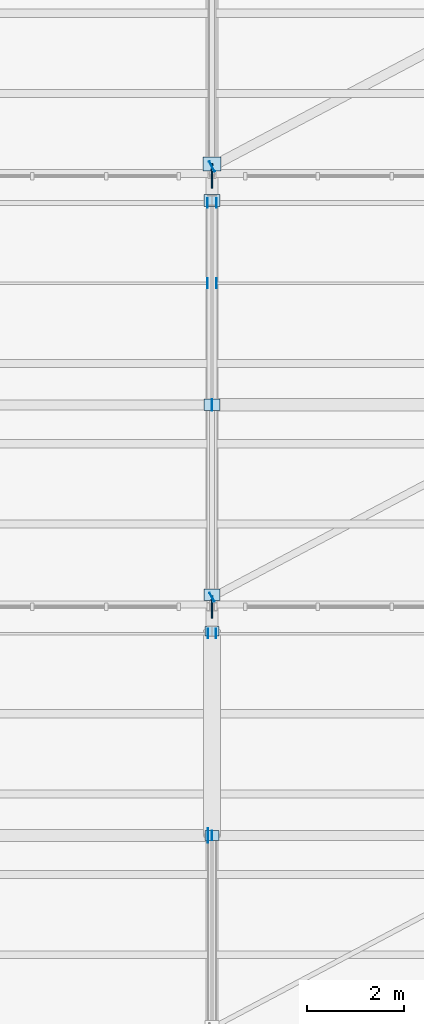
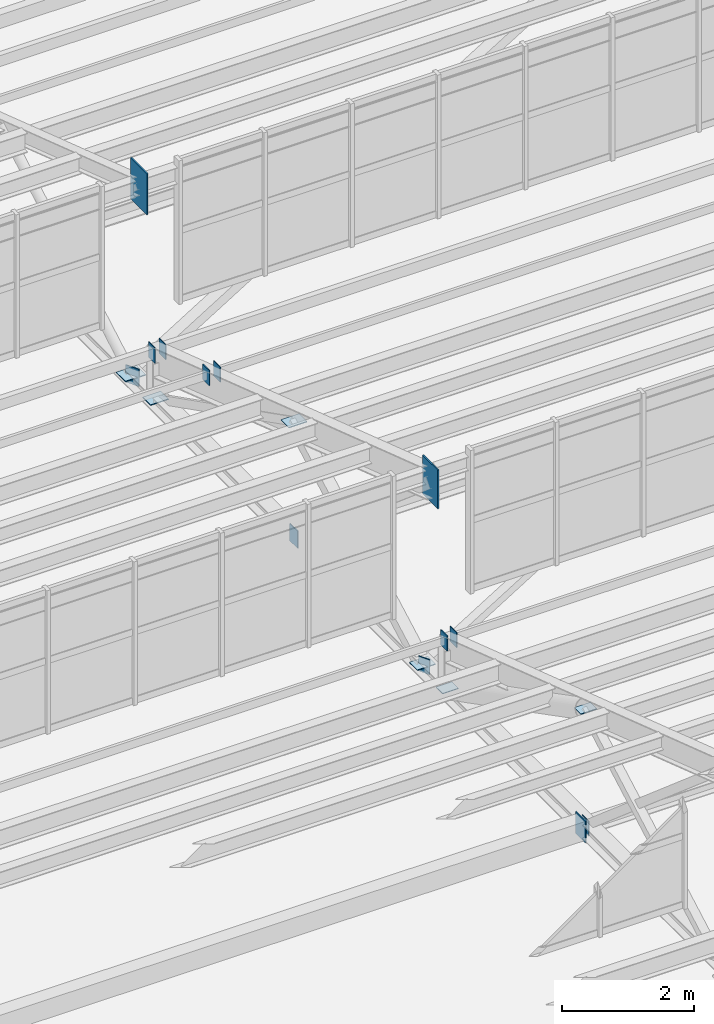
# One storey, part 208 of 285: 19 plates.
"""IFC4 building model written with IfcOpenShell, lengths in metres."""

from ifc_helpers import new_model, si_unit, direction, frame, origin, origin_2d, place, context, subcontext, project, spatial, rectangle, extrude, material, layer, layer_set, type_object, element, save


model = new_model("IFC4")

# Units and contexts
model_context = context("Model", 3, precision=1e-05, world=origin(), true_north=direction((0.0, 1.0)))
body_context = subcontext(model_context, "Body", "Model", "MODEL_VIEW")
ifc_project = project(units=[si_unit("LENGTHUNIT", "METRE"), si_unit("AREAUNIT", "SQUARE_METRE"), si_unit("VOLUMEUNIT", "CUBIC_METRE"), si_unit("PLANEANGLEUNIT", "RADIAN"), si_unit("MASSUNIT", "GRAM", prefix="KILO")], contexts=[model_context])

# Site, building, storey
site_placement = place(None, origin())
site = spatial("IfcSite", under=ifc_project, at=site_placement, CompositionType="ELEMENT")
building_placement = place(site_placement, origin())
building = spatial("IfcBuilding", under=site, at=building_placement, Name="Solanera Park Tramway Depot", CompositionType="ELEMENT")
storey_placement = place(building_placement, origin())
storey = spatial("IfcBuildingStorey", under=building, at=storey_placement, Name="L00", CompositionType="ELEMENT", Elevation=0.0)

# Plates
ifc_material_1 = material(Name="Steel AS/NZS 3679.1 Grade 350", Category="steel")
ifc_layer_1 = layer(ifc_material_1, 0.013916015625)
ifc_layer_set_1 = layer_set([ifc_layer_1], Name="Steel AS/NZS 3679.1 Grade 350")
plate_type_1 = type_object("IfcPlateType", Name="Hollow End Cap and Base Plate 280x200x14", PredefinedType="USERDEFINED", material=ifc_layer_set_1)
plate_1_placement = place(storey_placement, frame((45.0, 95.300048828125, 6.35986328125), z_axis=(0.0, 0.0, 1.0), x_axis=(1.0, 0.0, 0.0)))
element("IfcPlate", 1, at=plate_1_placement, inside=storey, type_object=plate_type_1, Name="Sawtooth Truss Hollow End Cap #0442", ObjectType="BASE PLATE", PredefinedType="USERDEFINED", context=body_context, shape_type="SweptSolid", body=[
    extrude(rectangle(XDim=0.013916015625, YDim=0.199951171875, at=origin_2d()), origin(), (0.0, 0.0, 1.0), 0.280029296875),
])
for number, where, z_axis, x_axis, name in (
    (2, (45.0, 99.5, 6.4931640625), (0.0, 0.0, 1.0), (1.0, 0.0, 0.0), "Sawtooth Truss Node Cap Plate #0443"),
    (3, (45.0, 95.300048828125, 8.66064453125), (0.0, 0.0, 1.0), (1.0, 0.0, 0.0), "Sawtooth Truss Node Cap Plate #0444"),
):
    element("IfcPlate", number, at=place(storey_placement, frame(where, z_axis=z_axis, x_axis=x_axis)), inside=storey, type_object=plate_type_1, Name=name, ObjectType="BASE PLATE", PredefinedType="USERDEFINED", context=body_context, shape_type="SweptSolid", body=[
        extrude(rectangle(XDim=0.280029296875, YDim=0.199951171875, at=origin_2d()), origin(), (0.0, 0.0, 1.0), 0.013916015625),
    ])
for number, where, z_axis, x_axis, name in (
    (4, (44.915771484375, 99.449951171875, 7.30615234375), (0.0, 0.0, 1.0), (1.0, 0.0, 0.0), "Hollow Section Welded End Cap Plate #0486"),
    (5, (45.084228515625, 99.449951171875, 7.30615234375), (0.0, 0.0, 1.0), (1.0, 0.0, 0.0), "Hollow Section Welded End Cap Plate #0487"),
    (6, (44.90625, 106.64990234375, 7.8583984375), (0.0, 0.0, 1.0), (1.0, 0.0, 0.0), "Hollow Section Welded End Cap Plate #0577"),
    (7, (45.09375, 106.64990234375, 7.8583984375), (0.0, 0.0, 1.0), (1.0, 0.0, 0.0), "Hollow Section Welded End Cap Plate #0578"),
    (8, (44.90625, 108.300048828125, 7.27294921875), (0.0, 0.0, 1.0), (1.0, 0.0, 0.0), "Hollow Section Welded End Cap Plate #0597"),
    (9, (45.09375, 108.300048828125, 7.27294921875), (0.0, 0.0, 1.0), (1.0, 0.0, 0.0), "Hollow Section Welded End Cap Plate #0598"),
    (10, (44.999267578125, 100.198486328125, 6.35986328125), (0.0, 0.0, 1.0), (0.883520501477, 0.468392488698, 0.0), "Hollow Section Welded End Cap Plate #0618"),
):
    element("IfcPlate", number, at=place(storey_placement, frame(where, z_axis=z_axis, x_axis=x_axis)), inside=storey, type_object=plate_type_1, Name=name, ObjectType="BASE PLATE", PredefinedType="USERDEFINED", context=body_context, shape_type="SweptSolid", body=[
        extrude(rectangle(XDim=0.013916015625, YDim=0.199951171875, at=origin_2d()), origin(), (0.0, 0.0, 1.0), 0.280029296875),
    ])
ifc_material_2 = material(Name="Steel AS/NZS 3679.1 Grade 350", Category="steel")
ifc_layer_2 = layer(ifc_material_2, 0.01611328125)
ifc_layer_set_2 = layer_set([ifc_layer_2], Name="Steel AS/NZS 3679.1 Grade 350")
plate_type_2 = type_object("IfcPlateType", Name="Hollow End Cap and Base Plate 320x240x16", PredefinedType="USERDEFINED", material=ifc_layer_set_2)
plate_2_placement = place(storey_placement, frame((45.0, 104.14990234375, 6.33984375), z_axis=(0.0, 0.0, 1.0), x_axis=(1.0, 0.0, 0.0)))
element("IfcPlate", 11, at=plate_2_placement, inside=storey, type_object=plate_type_2, Name="Sawtooth Truss Hollow End Cap #0533", ObjectType="BASE PLATE", PredefinedType="USERDEFINED", context=body_context, shape_type="SweptSolid", body=[
    extrude(rectangle(XDim=0.01611328125, YDim=0.239990234375, at=origin_2d()), origin(), (0.0, 0.0, 1.0), 0.320068359375),
])
for number, where, z_axis, x_axis, name in (
    (12, (45.0, 108.35009765625, 6.491943359375), (0.0, 0.0, 1.0), (1.0, 0.0, 0.0), "Sawtooth Truss Node Cap Plate #0534"),
    (13, (45.0, 104.14990234375, 8.62158203125), (0.0, 0.0, 1.0), (1.0, 0.0, 0.0), "Sawtooth Truss Node Cap Plate #0535"),
    (14, (45.0, 100.25, 6.491943359375), (0.0, 0.0, 1.0), (1.0, 0.0, 0.0), "Sawtooth Truss Node Cap Plate #0536"),
):
    element("IfcPlate", number, at=place(storey_placement, frame(where, z_axis=z_axis, x_axis=x_axis)), inside=storey, type_object=plate_type_2, Name=name, ObjectType="BASE PLATE", PredefinedType="USERDEFINED", context=body_context, shape_type="SweptSolid", body=[
        extrude(rectangle(XDim=0.320068359375, YDim=0.239990234375, at=origin_2d()), origin(), (0.0, 0.0, 1.0), 0.01611328125),
    ])
plate_3_placement = place(storey_placement, frame((44.99853515625, 109.048095703125, 6.33984375), z_axis=(0.0, 0.0, 1.0), x_axis=(0.883520501477, 0.468392488698, 0.0)))
element("IfcPlate", 15, at=plate_3_placement, inside=storey, type_object=plate_type_2, Name="Hollow Section Welded End Cap Plate #0747", ObjectType="BASE PLATE", PredefinedType="USERDEFINED", context=body_context, shape_type="SweptSolid", body=[
    extrude(rectangle(XDim=0.01611328125, YDim=0.239990234375, at=origin_2d()), origin(), (0.0, 0.0, 1.0), 0.320068359375),
])
ifc_material_3 = material(Name="Steel AS/NZS 3679.1 Grade 350", Category="steel")
ifc_layer_3 = layer(ifc_material_3, 0.01806640625)
ifc_layer_set_3 = layer_set([ifc_layer_3], Name="Steel AS/NZS 3679.1 Grade 350")
plate_type_3 = type_object("IfcPlateType", Name="Hollow End Cap and Base Plate 360x280x18", PredefinedType="USERDEFINED", material=ifc_layer_set_3)
plate_4_placement = place(storey_placement, frame((45.0, 109.10009765625, 6.490966796875), z_axis=(0.0, 0.0, 1.0), x_axis=(1.0, 0.0, 0.0)))
element("IfcPlate", 16, at=plate_4_placement, inside=storey, type_object=plate_type_3, Name="Sawtooth Truss Node Cap Plate #0647", ObjectType="BASE PLATE", PredefinedType="USERDEFINED", context=body_context, shape_type="SweptSolid", body=[
    extrude(rectangle(XDim=0.360107421875, YDim=0.280029296875, at=origin_2d()), origin(), (0.0, 0.0, 1.0), 0.01806640625),
])
ifc_material_4 = material(Name="Steel AS/NZS 3679.1 Grade 350", Category="steel")
ifc_layer_4 = layer(ifc_material_4, 0.02001953125)
ifc_layer_set_4 = layer_set([ifc_layer_4], Name="Steel AS/NZS 3679.1 Grade 350")
plate_type_4 = type_object("IfcPlateType", Name="Hollow End Cap and Base Plate 400x300x20", PredefinedType="USERDEFINED", material=ifc_layer_set_4)
plate_5_placement = place(storey_placement, frame((44.91796875, 95.300048828125, 6.300048828125), z_axis=(0.0, 0.0, 1.0), x_axis=(1.0, 0.0, 0.0)))
element("IfcPlate", 17, at=plate_5_placement, inside=storey, type_object=plate_type_4, Name="Hollow Section Welded End Cap Plate #0506", ObjectType="BASE PLATE", PredefinedType="USERDEFINED", context=body_context, shape_type="SweptSolid", body=[
    extrude(rectangle(XDim=0.02001953125, YDim=0.300048828125, at=origin_2d()), origin(), (0.0, 0.0, 1.0), 0.39990234375),
])
ifc_material_5 = material(Name="Steel AS/NZS 3679.1 Grade 350", Category="steel")
ifc_layer_5 = layer(ifc_material_5, 0.02490234375)
ifc_layer_set_5 = layer_set([ifc_layer_5], Name="Steel AS/NZS 3679.1 Grade 350")
plate_type_5 = type_object("IfcPlateType", Name="Truss Node Gusset Stiffener 720x460x25", PredefinedType="SHEET", material=ifc_layer_set_5)
plate_6_placement = place(storey_placement, frame((45.0, 100.0, 9.658203125), z_axis=(0.0, 0.0, 1.0), x_axis=(1.0, 0.0, 0.0)))
element("IfcPlate", 18, at=plate_6_placement, inside=storey, type_object=plate_type_5, Name="Sawtooth Truss Apex Gusset Plate #0532", PredefinedType="SHEET", context=body_context, shape_type="SweptSolid", body=[
    extrude(rectangle(XDim=0.02490234375, YDim=0.4599609375, at=origin_2d()), origin(), (0.0, 0.0, 1.0), 0.719970703125),
])
ifc_material_6 = material(Name="Steel AS/NZS 3679.1 Grade 350", Category="steel")
ifc_layer_6 = layer(ifc_material_6, 0.02587890625)
ifc_layer_set_6 = layer_set([ifc_layer_6], Name="Steel AS/NZS 3679.1 Grade 350")
plate_type_6 = type_object("IfcPlateType", Name="Truss Node Gusset Stiffener 760x500x26", PredefinedType="SHEET", material=ifc_layer_set_6)
plate_7_placement = place(storey_placement, frame((45.0, 108.85009765625, 9.7509765625), z_axis=(0.0, 0.0, 1.0), x_axis=(1.0, 0.0, 0.0)))
element("IfcPlate", 19, at=plate_7_placement, inside=storey, type_object=plate_type_6, Name="Sawtooth Truss Apex Gusset Plate #0643", PredefinedType="SHEET", context=body_context, shape_type="SweptSolid", body=[
    extrude(rectangle(XDim=0.02587890625, YDim=0.5, at=origin_2d()), origin(), (0.0, 0.0, 1.0), 0.760009765625),
])

save(model, "model.ifc")
